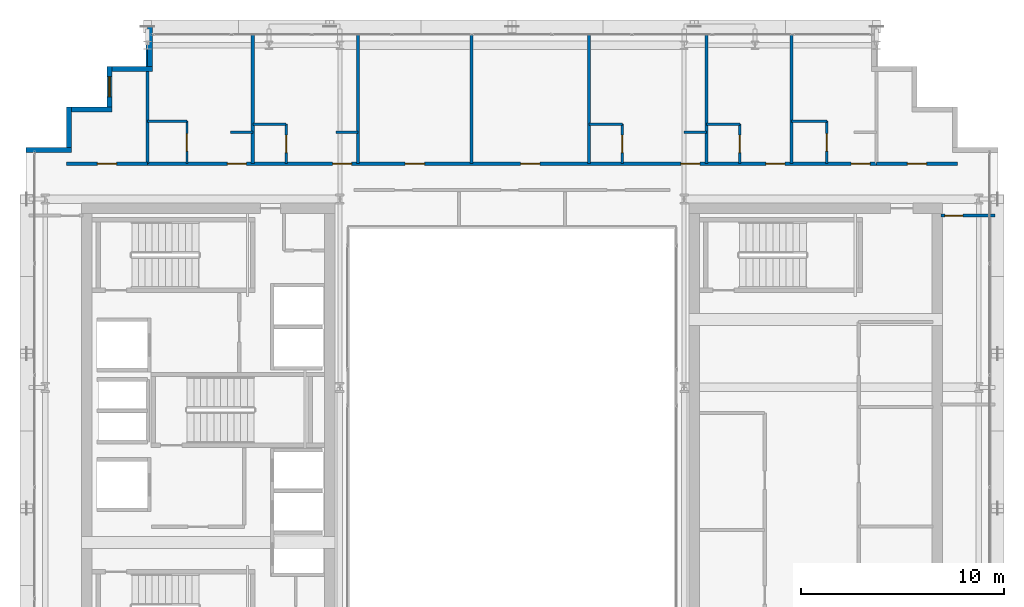
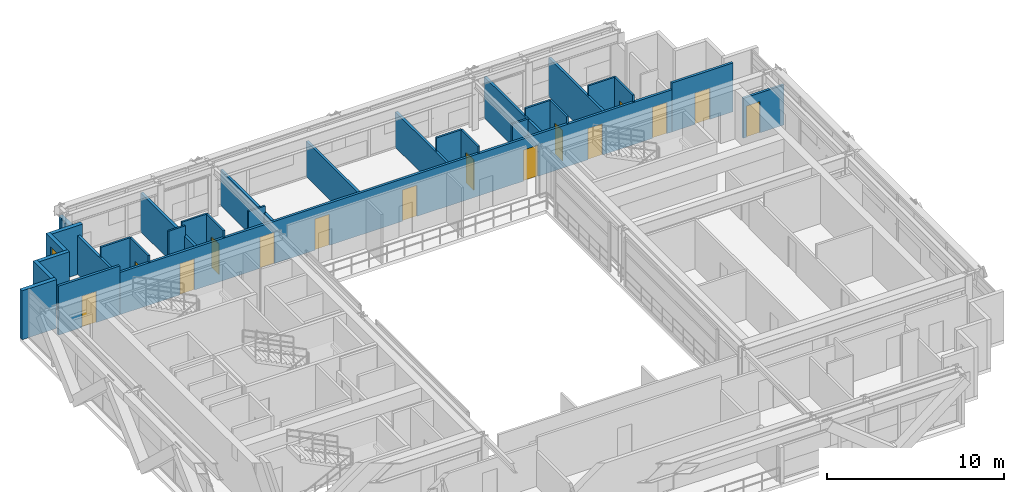
# One storey, part 32 of 37: 30 walls, 15 doors, 1 window, 16 openings.
"""IFC4 building model written with IfcOpenShell, lengths in metres."""

from ifc_helpers import new_model, si_unit, direction, frame, frame_2d, origin, place, context, subcontext, project, spatial, rectangle, extrude, source, transform, mapped, material, layer, layer_set, type_object, element, fill, save


model = new_model("IFC4")

# Units and contexts
model_context = context("Model", 3, precision=1e-05, world=origin(), true_north=direction((0.0, 1.0)))
body_context = subcontext(model_context, "Body", "Model", "MODEL_VIEW")
ifc_project = project(units=[si_unit("LENGTHUNIT", "METRE"), si_unit("AREAUNIT", "SQUARE_METRE"), si_unit("VOLUMEUNIT", "CUBIC_METRE"), si_unit("PLANEANGLEUNIT", "RADIAN"), si_unit("MASSUNIT", "GRAM", prefix="KILO")], contexts=[model_context])

# Site, building, storey
site_placement = place(None, origin())
site = spatial("IfcSite", under=ifc_project, at=site_placement, CompositionType="ELEMENT")
building_placement = place(site_placement, origin())
building = spatial("IfcBuilding", under=site, at=building_placement, Name="Ocotamira Hotel", CompositionType="ELEMENT")
storey_placement = place(building_placement, frame((0.0, 0.0, 192.0)))
storey = spatial("IfcBuildingStorey", under=building, at=storey_placement, Name="L48", CompositionType="ELEMENT", Elevation=192.0)

# Walls
ifc_material_1 = material(Name="Precast concrete C45/55", Category="concrete")
ifc_layer_1 = layer(ifc_material_1, 0.25)
ifc_layer_set_1 = layer_set([ifc_layer_1], Name="Precast concrete C45/55")
wall_type_1 = type_object("IfcWallType", Name="WL-EXT-SER-250", PredefinedType="SOLIDWALL", material=ifc_layer_set_1)
wall_1_placement = place(storey_placement, frame((14.125, 46.0, 0.0), z_axis=(0.0, 0.0, 1.0), x_axis=(0.0, -1.0, 0.0)))
element("IfcWall", 1, at=wall_1_placement, inside=storey, type_object=wall_type_1, Name="L48 Serrated Corner Wall 13", PredefinedType="SOLIDWALL", context=body_context, shape_type="SweptSolid", body=[
    extrude(rectangle(XDim=2.0, YDim=0.25, at=frame_2d((1.0, 0.0))), origin(), (0.0, 0.0, 1.0), 2.677001953125),
])
wall_2_placement = place(storey_placement, frame((14.25, 43.875, 0.0), z_axis=(0.0, 0.0, 1.0), x_axis=(-1.0, 0.0, 0.0)))
element("IfcWall", 2, at=wall_2_placement, inside=storey, type_object=wall_type_1, Name="L48 Serrated Corner Wall 14", PredefinedType="SOLIDWALL", context=body_context, shape_type="SweptSolid", body=[
    extrude(rectangle(XDim=2.0, YDim=0.25, at=frame_2d((1.0, 0.0))), origin(), (0.0, 0.0, 1.0), 3.3701171875),
])

# Wall, opening, window
wall_3_placement = place(storey_placement, frame((12.125, 44.0, 0.0), z_axis=(0.0, 0.0, 1.0), x_axis=(0.0, -1.0, 0.0)))
wall_3 = element("IfcWall", 3, at=wall_3_placement, inside=storey, type_object=wall_type_1, Name="L48 Serrated Corner Wall 15", PredefinedType="SOLIDWALL", context=body_context, shape_type="SweptSolid", body=[
    extrude(rectangle(XDim=2.0, YDim=0.25, at=frame_2d((1.0, 0.0))), origin(), (0.0, 0.0, 1.0), 3.3701171875),
])
opening_1_placement = place(wall_3_placement, frame((0.5, 0.0, 0.85009765625)))
opening_1 = element("IfcOpeningElement", 4, at=opening_1_placement, cuts=wall_3, Name="Opening WN-2", PredefinedType="OPENING", context=body_context, shape_type="SweptSolid", body=[
    extrude(rectangle(XDim=1.0, YDim=1.89990234375, at=frame_2d((0.5, 0.949951171875))), frame((0.0, 0.135009765625, 0.0), z_axis=(0.0, -1.0, 0.0), x_axis=(1.0, 0.0, 0.0)), (0.0, 0.0, 1.0), 0.27001953125),
])
ifc_material_2 = material(Name="Double-silver low-E solar glass", Category="glass")
window_type = type_object("IfcWindowType", Name="WIN-SER-1100", PartitioningType="SINGLE_PANEL", PredefinedType="WINDOW", material=ifc_material_2)
shared_shape_1 = source(origin(), body_context, "Body", "SweptSolid", [
    extrude(rectangle(XDim=1.0, YDim=1.89990234375, at=frame_2d((0.5, 0.949951171875))), frame((0.0, 0.030029296875, 0.0), z_axis=(0.0, -1.0, 0.0), x_axis=(1.0, 0.0, 0.0)), (0.0, 0.0, 1.0), 0.06005859375),
])
window_placement = place(opening_1_placement, origin())
window = element("IfcWindow", 5, at=window_placement, inside=storey, type_object=window_type, Name="L48 Serrated Corner Window 15", OverallHeight=1.89990234375, OverallWidth=1.0, PartitioningType="SINGLE_PANEL", PredefinedType="WINDOW", context=body_context, shape_type="MappedRepresentation", body=[
    mapped(shared_shape_1, transform((0.0, 0.0, 0.0), scale=1.0)),
])
fill(opening_1, window)

# Walls
for number, where, z_axis, x_axis, name in (
    (6, (12.25, 41.875, 0.0), (0.0, 0.0, 1.0), (-1.0, 0.0, 0.0), "L48 Serrated Corner Wall 16"),
    (7, (10.125, 42.0, 0.0), (0.0, 0.0, 1.0), (0.0, -1.0, 0.0), "L48 Serrated Corner Wall 17"),
):
    element("IfcWall", number, at=place(storey_placement, frame(where, z_axis=z_axis, x_axis=x_axis)), inside=storey, type_object=wall_type_1, Name=name, PredefinedType="SOLIDWALL", context=body_context, shape_type="SweptSolid", body=[
        extrude(rectangle(XDim=2.0, YDim=0.25, at=frame_2d((1.0, 0.0))), origin(), (0.0, 0.0, 1.0), 3.3701171875),
    ])
wall_4_placement = place(storey_placement, frame((10.25, 39.875, 0.0), z_axis=(0.0, 0.0, 1.0), x_axis=(-1.0, 0.0, 0.0)))
element("IfcWall", 8, at=wall_4_placement, inside=storey, type_object=wall_type_1, Name="L48 Serrated Corner Wall 18", PredefinedType="SOLIDWALL", context=body_context, shape_type="SweptSolid", body=[
    extrude(rectangle(XDim=2.25, YDim=0.25, at=frame_2d((1.125, 0.0))), origin(), (0.0, 0.0, 1.0), 3.3701171875),
])

# Wall, opening, door
ifc_material_3 = material(Name="Acoustic double-layer fire gypsum board partition", Category="gypsum")
ifc_layer_2 = layer(ifc_material_3, 0.159912109375)
ifc_layer_set_2 = layer_set([ifc_layer_2], Name="Acoustic double-layer fire gypsum board partition")
wall_type_2 = type_object("IfcWallType", Name="WL-FIRE-160", PredefinedType="PARTITIONING", material=ifc_layer_set_2)
wall_5_placement = place(storey_placement, frame((10.0, 39.199951171875, 0.0), z_axis=(0.0, 0.0, 1.0), x_axis=(1.0, 0.0, 0.0)))
wall_5 = element("IfcWall", 9, at=wall_5_placement, inside=storey, type_object=wall_type_2, Name="L48 Interior Wall PW-L48-Z3C-CNW-CW", PredefinedType="PARTITIONING", context=body_context, shape_type="SweptSolid", body=[
    extrude(rectangle(XDim=4.0, YDim=0.159912109375, at=frame_2d((2.0, 0.0))), origin(), (0.0, 0.0, 1.0), 3.3701171875),
])
opening_2_placement = place(wall_5_placement, frame((1.52001953125, 0.0, 0.0)))
opening_2 = element("IfcOpeningElement", 10, at=opening_2_placement, cuts=wall_5, Name="Opening D-SV4", PredefinedType="OPENING", context=body_context, shape_type="SweptSolid", body=[
    extrude(rectangle(XDim=0.9599609375, YDim=2.14990234375, at=frame_2d((0.47998046875, 1.074951171875))), frame((0.0, 0.08984375, 0.0), z_axis=(0.0, -1.0, 0.0), x_axis=(1.0, 0.0, 0.0)), (0.0, 0.0, 1.0), 0.179931640625),
])
ifc_material_4 = material(Name="Fire-rated accessible walnut salon door", Category="wood")
door_type_1 = type_object("IfcDoorType", Name="DR-SERV-960", OperationType="NOTDEFINED", PredefinedType="DOOR", material=ifc_material_4)
shared_shape_2 = source(origin(), body_context, "Body", "SweptSolid", [
    extrude(rectangle(XDim=0.9599609375, YDim=2.14990234375, at=frame_2d((0.47998046875, 1.074951171875))), frame((0.0, 0.02490234375, 0.0), z_axis=(0.0, -1.0, 0.0), x_axis=(1.0, 0.0, 0.0)), (0.0, 0.0, 1.0), 0.050048828125),
])
door_1_placement = place(opening_2_placement, origin())
door_1 = element("IfcDoor", 11, at=door_1_placement, inside=storey, type_object=door_type_1, Name="L48 Door ID-L48-Z3C-CNW-CD [ID-L48-Z3C-CNW-CD]", OperationType="SINGLE_SWING_LEFT", OverallHeight=2.14990234375, OverallWidth=0.9599609375, PredefinedType="DOOR", context=body_context, shape_type="MappedRepresentation", body=[
    mapped(shared_shape_2, transform((0.0, 0.0, 0.0), scale=1.0)),
])
fill(opening_2, door_1)

wall_6_placement = place(storey_placement, frame((50.0, 39.199951171875, 0.0), z_axis=(0.0, 0.0, 1.0), x_axis=(1.0, 0.0, 0.0)))
wall_6 = element("IfcWall", 12, at=wall_6_placement, inside=storey, type_object=wall_type_2, Name="L48 Interior Wall PW-L48-Z3C-CNE-CW", PredefinedType="PARTITIONING", context=body_context, shape_type="SweptSolid", body=[
    extrude(rectangle(XDim=4.0, YDim=0.159912109375, at=frame_2d((2.0, 0.0))), origin(), (0.0, 0.0, 1.0), 3.3701171875),
])
opening_3_placement = place(wall_6_placement, frame((1.52001953125, 0.0, 0.0)))
opening_3 = element("IfcOpeningElement", 13, at=opening_3_placement, cuts=wall_6, Name="Opening D-SV4", PredefinedType="OPENING", context=body_context, shape_type="SweptSolid", body=[
    extrude(rectangle(XDim=0.9599609375, YDim=2.14990234375, at=frame_2d((0.47998046875, 1.074951171875))), frame((0.0, 0.08984375, 0.0), z_axis=(0.0, -1.0, 0.0), x_axis=(1.0, 0.0, 0.0)), (0.0, 0.0, 1.0), 0.179931640625),
])
door_2_placement = place(opening_3_placement, origin())
door_2 = element("IfcDoor", 14, at=door_2_placement, inside=storey, type_object=door_type_1, Name="L48 Door ID-L48-Z3C-CNE-CD [ID-L48-Z3C-CNE-CD]", OperationType="SINGLE_SWING_LEFT", OverallHeight=2.14990234375, OverallWidth=0.9599609375, PredefinedType="DOOR", context=body_context, shape_type="MappedRepresentation", body=[
    mapped(shared_shape_2, transform((0.0, 0.0, 0.0), scale=1.0)),
])
fill(opening_3, door_2)

# Wall, openings, doors
wall_7_placement = place(storey_placement, frame((14.0, 39.199951171875, 0.0), z_axis=(0.0, 0.0, 1.0), x_axis=(1.0, 0.0, 0.0)))
wall_7 = element("IfcWall", 15, at=wall_7_placement, inside=storey, type_object=wall_type_2, Name="L48 Interior Wall PW-L48-Z3CN-CORRW", PredefinedType="PARTITIONING", context=body_context, shape_type="SweptSolid", body=[
    extrude(rectangle(XDim=36.0, YDim=0.159912109375, at=frame_2d((18.0, 0.0))), origin(), (0.0, 0.0, 1.0), 2.9130859375),
])
opening_4_placement = place(wall_7_placement, frame((3.93994140625, 0.0, 0.0)))
opening_4 = element("IfcOpeningElement", 16, at=opening_4_placement, cuts=wall_7, Name="Opening D-GR1", PredefinedType="OPENING", context=body_context, shape_type="SweptSolid", body=[
    extrude(rectangle(XDim=0.93994140625, YDim=2.14990234375, at=frame_2d((0.469970703125, 1.074951171875))), frame((0.0, 0.08984375, 0.0), z_axis=(0.0, -1.0, 0.0), x_axis=(1.0, 0.0, 0.0)), (0.0, 0.0, 1.0), 0.179931640625),
])
opening_5_placement = place(wall_7_placement, frame((9.139892578125, 0.0, 0.0)))
opening_5 = element("IfcOpeningElement", 17, at=opening_5_placement, cuts=wall_7, Name="Opening D-GR1", PredefinedType="OPENING", context=body_context, shape_type="SweptSolid", body=[
    extrude(rectangle(XDim=0.93994140625, YDim=2.14990234375, at=frame_2d((0.469970703125, 1.074951171875))), frame((0.0, 0.08984375, 0.0), z_axis=(0.0, -1.0, 0.0), x_axis=(1.0, 0.0, 0.0)), (0.0, 0.0, 1.0), 0.179931640625),
])
opening_6_placement = place(wall_7_placement, frame((12.719970703125, 0.0, 0.0)))
opening_6 = element("IfcOpeningElement", 18, at=opening_6_placement, cuts=wall_7, Name="Opening D-SV4", PredefinedType="OPENING", context=body_context, shape_type="SweptSolid", body=[
    extrude(rectangle(XDim=0.9599609375, YDim=2.14990234375, at=frame_2d((0.47998046875, 1.074951171875))), frame((0.0, 0.08984375, 0.0), z_axis=(0.0, -1.0, 0.0), x_axis=(1.0, 0.0, 0.0)), (0.0, 0.0, 1.0), 0.179931640625),
])
opening_7_placement = place(wall_7_placement, frame((18.419921875, 0.0, 0.0)))
opening_7 = element("IfcOpeningElement", 19, at=opening_7_placement, cuts=wall_7, Name="Opening D-SV4", PredefinedType="OPENING", context=body_context, shape_type="SweptSolid", body=[
    extrude(rectangle(XDim=0.9599609375, YDim=2.14990234375, at=frame_2d((0.47998046875, 1.074951171875))), frame((0.0, 0.08984375, 0.0), z_axis=(0.0, -1.0, 0.0), x_axis=(1.0, 0.0, 0.0)), (0.0, 0.0, 1.0), 0.179931640625),
])
opening_8_placement = place(wall_7_placement, frame((26.340087890625, 0.0, 0.0)))
opening_8 = element("IfcOpeningElement", 20, at=opening_8_placement, cuts=wall_7, Name="Opening D-GR1", PredefinedType="OPENING", context=body_context, shape_type="SweptSolid", body=[
    extrude(rectangle(XDim=0.93994140625, YDim=2.14990234375, at=frame_2d((0.469970703125, 1.074951171875))), frame((0.0, 0.08984375, 0.0), z_axis=(0.0, -1.0, 0.0), x_axis=(1.0, 0.0, 0.0)), (0.0, 0.0, 1.0), 0.179931640625),
])
opening_9_placement = place(wall_7_placement, frame((30.5400390625, 0.0, 0.0)))
opening_9 = element("IfcOpeningElement", 21, at=opening_9_placement, cuts=wall_7, Name="Opening D-GR1", PredefinedType="OPENING", context=body_context, shape_type="SweptSolid", body=[
    extrude(rectangle(XDim=0.93994140625, YDim=2.14990234375, at=frame_2d((0.469970703125, 1.074951171875))), frame((0.0, 0.08984375, 0.0), z_axis=(0.0, -1.0, 0.0), x_axis=(1.0, 0.0, 0.0)), (0.0, 0.0, 1.0), 0.179931640625),
])
opening_10_placement = place(wall_7_placement, frame((34.739990234375, 0.0, 0.0)))
opening_10 = element("IfcOpeningElement", 22, at=opening_10_placement, cuts=wall_7, Name="Opening D-GR1", PredefinedType="OPENING", context=body_context, shape_type="SweptSolid", body=[
    extrude(rectangle(XDim=0.93994140625, YDim=2.14990234375, at=frame_2d((0.469970703125, 1.074951171875))), frame((0.0, 0.08984375, 0.0), z_axis=(0.0, -1.0, 0.0), x_axis=(1.0, 0.0, 0.0)), (0.0, 0.0, 1.0), 0.179931640625),
])
door_3_placement = place(opening_6_placement, origin())
door_3 = element("IfcDoor", 23, at=door_3_placement, inside=storey, type_object=door_type_1, Name="L48 Door ID-L48-Z3CN-AMD3 [ID-L48-Z3CN-AMD3]", OperationType="SINGLE_SWING_LEFT", OverallHeight=2.14990234375, OverallWidth=0.9599609375, PredefinedType="DOOR", context=body_context, shape_type="MappedRepresentation", body=[
    mapped(shared_shape_2, transform((0.0, 0.0, 0.0), scale=1.0)),
])
fill(opening_6, door_3)
door_4_placement = place(opening_7_placement, origin())
door_4 = element("IfcDoor", 24, at=door_4_placement, inside=storey, type_object=door_type_1, Name="L48 Door ID-L48-Z3CN-AMD4 [ID-L48-Z3CN-AMD4]", OperationType="SINGLE_SWING_RIGHT", OverallHeight=2.14990234375, OverallWidth=0.9599609375, PredefinedType="DOOR", context=body_context, shape_type="MappedRepresentation", body=[
    mapped(shared_shape_2, transform((0.0, 0.0, 0.0), scale=1.0)),
])
fill(opening_7, door_4)
ifc_material_5 = material(Name="Solid-core walnut suite entrance fire door", Category="wood")
door_type_2 = type_object("IfcDoorType", Name="DR-GUEST-940", OperationType="NOTDEFINED", PredefinedType="DOOR", material=ifc_material_5)
shared_shape_3 = source(origin(), body_context, "Body", "SweptSolid", [
    extrude(rectangle(XDim=0.93994140625, YDim=2.14990234375, at=frame_2d((0.469970703125, 1.074951171875))), frame((0.0, 0.02490234375, 0.0), z_axis=(0.0, -1.0, 0.0), x_axis=(1.0, 0.0, 0.0)), (0.0, 0.0, 1.0), 0.050048828125),
])
door_5_placement = place(opening_4_placement, origin())
door_5 = element("IfcDoor", 25, at=door_5_placement, inside=storey, type_object=door_type_2, Name="L48 Door ID-L48-Z3CN-RMD1 [ID-L48-Z3CN-RMD1]", OperationType="SINGLE_SWING_LEFT", OverallHeight=2.14990234375, OverallWidth=0.93994140625, PredefinedType="DOOR", context=body_context, shape_type="MappedRepresentation", body=[
    mapped(shared_shape_3, transform((0.0, 0.0, 0.0), scale=1.0)),
])
fill(opening_4, door_5)
door_6_placement = place(opening_5_placement, origin())
door_6 = element("IfcDoor", 26, at=door_6_placement, inside=storey, type_object=door_type_2, Name="L48 Door ID-L48-Z3CN-RMD2 [ID-L48-Z3CN-RMD2]", OperationType="SINGLE_SWING_RIGHT", OverallHeight=2.14990234375, OverallWidth=0.93994140625, PredefinedType="DOOR", context=body_context, shape_type="MappedRepresentation", body=[
    mapped(shared_shape_3, transform((0.0, 0.0, 0.0), scale=1.0)),
])
fill(opening_5, door_6)
door_7_placement = place(opening_8_placement, origin())
door_7 = element("IfcDoor", 27, at=door_7_placement, inside=storey, type_object=door_type_2, Name="L48 Door ID-L48-Z3CN-RMD5 [ID-L48-Z3CN-RMD5]", OperationType="SINGLE_SWING_LEFT", OverallHeight=2.14990234375, OverallWidth=0.93994140625, PredefinedType="DOOR", context=body_context, shape_type="MappedRepresentation", body=[
    mapped(shared_shape_3, transform((0.0, 0.0, 0.0), scale=1.0)),
])
fill(opening_8, door_7)
door_8_placement = place(opening_9_placement, origin())
door_8 = element("IfcDoor", 28, at=door_8_placement, inside=storey, type_object=door_type_2, Name="L48 Door ID-L48-Z3CN-RMD6 [ID-L48-Z3CN-RMD6]", OperationType="SINGLE_SWING_RIGHT", OverallHeight=2.14990234375, OverallWidth=0.93994140625, PredefinedType="DOOR", context=body_context, shape_type="MappedRepresentation", body=[
    mapped(shared_shape_3, transform((0.0, 0.0, 0.0), scale=1.0)),
])
fill(opening_9, door_8)
door_9_placement = place(opening_10_placement, origin())
door_9 = element("IfcDoor", 29, at=door_9_placement, inside=storey, type_object=door_type_2, Name="L48 Door ID-L48-Z3CN-RMD7 [ID-L48-Z3CN-RMD7]", OperationType="SINGLE_SWING_LEFT", OverallHeight=2.14990234375, OverallWidth=0.93994140625, PredefinedType="DOOR", context=body_context, shape_type="MappedRepresentation", body=[
    mapped(shared_shape_3, transform((0.0, 0.0, 0.0), scale=1.0)),
])
fill(opening_10, door_9)

# Wall, opening, door
ifc_material_6 = material(Name="Moisture-resistant en-suite tile and gypsum partition", Category="gypsum")
ifc_layer_3 = layer(ifc_material_6, 0.1201171875)
ifc_layer_set_3 = layer_set([ifc_layer_3], Name="Moisture-resistant en-suite tile and gypsum partition")
wall_type_3 = type_object("IfcWallType", Name="WL-PART-120", PredefinedType="PARTITIONING", material=ifc_layer_set_3)
wall_8_placement = place(storey_placement, frame((15.949951171875, 39.199951171875, 0.0), z_axis=(0.0, 0.0, 1.0), x_axis=(0.0, 1.0, 0.0)))
wall_8 = element("IfcWall", 30, at=wall_8_placement, inside=storey, type_object=wall_type_3, Name="L48 Interior Wall PW-L48-Z3CN-BAE1", PredefinedType="PARTITIONING", context=body_context, shape_type="SweptSolid", body=[
    extrude(rectangle(XDim=2.10009765625, YDim=0.1201171875, at=frame_2d((1.050048828125, 0.0))), origin(), (0.0, 0.0, 1.0), 3.3701171875),
])
opening_11_placement = place(wall_8_placement, frame((0.6201171875, 0.0, 0.0)))
opening_11 = element("IfcOpeningElement", 31, at=opening_11_placement, cuts=wall_8, Name="Opening D-BA1", PredefinedType="OPENING", context=body_context, shape_type="SweptSolid", body=[
    extrude(rectangle(XDim=0.860107421875, YDim=2.10009765625, at=frame_2d((0.43017578125, 1.050048828125))), frame((0.0, 0.070068359375, 0.0), z_axis=(0.0, -1.0, 0.0), x_axis=(1.0, 0.0, 0.0)), (0.0, 0.0, 1.0), 0.14013671875),
])
ifc_material_7 = material(Name="Moisture-sealed en-suite timber door", Category="wood")
door_type_3 = type_object("IfcDoorType", Name="DR-BATH-860", OperationType="NOTDEFINED", PredefinedType="DOOR", material=ifc_material_7)
shared_shape_4 = source(origin(), body_context, "Body", "SweptSolid", [
    extrude(rectangle(XDim=0.860107421875, YDim=2.10009765625, at=frame_2d((0.43017578125, 1.050048828125))), frame((0.0, 0.02490234375, 0.0), z_axis=(0.0, -1.0, 0.0), x_axis=(1.0, 0.0, 0.0)), (0.0, 0.0, 1.0), 0.050048828125),
])
door_10_placement = place(opening_11_placement, origin())
door_10 = element("IfcDoor", 32, at=door_10_placement, inside=storey, type_object=door_type_3, Name="L48 Door ID-L48-Z3CN-BAD1 [ID-L48-Z3CN-BAD1]", OperationType="SINGLE_SWING_RIGHT", OverallHeight=2.10009765625, OverallWidth=0.860107421875, PredefinedType="DOOR", context=body_context, shape_type="MappedRepresentation", body=[
    mapped(shared_shape_4, transform((0.0, 0.0, 0.0), scale=1.0)),
])
fill(opening_11, door_10)

# Walls
wall_9_placement = place(storey_placement, frame((14.0, 41.300048828125, 0.0), z_axis=(0.0, 0.0, 1.0), x_axis=(1.0, 0.0, 0.0)))
element("IfcWall", 33, at=wall_9_placement, inside=storey, type_object=wall_type_3, Name="L48 Interior Wall PW-L48-Z3CN-BAN1", PredefinedType="PARTITIONING", context=body_context, shape_type="SweptSolid", body=[
    extrude(rectangle(XDim=1.949951171875, YDim=0.1201171875, at=frame_2d((0.97509765625, 0.0))), origin(), (0.0, 0.0, 1.0), 3.3701171875),
])
wall_10_placement = place(storey_placement, frame((18.10009765625, 40.75, 0.0), z_axis=(0.0, 0.0, 1.0), x_axis=(1.0, 0.0, 0.0)))
element("IfcWall", 34, at=wall_10_placement, inside=storey, type_object=wall_type_3, Name="L48 Interior Wall PW-L48-Z3CN-DRN1", PredefinedType="PARTITIONING", context=body_context, shape_type="SweptSolid", body=[
    extrude(rectangle(XDim=1.099853515625, YDim=0.1201171875, at=frame_2d((0.5498046875, 0.0))), origin(), (0.0, 0.0, 1.0), 3.3701171875),
])

# Wall, opening, door
wall_11_placement = place(storey_placement, frame((20.85009765625, 39.199951171875, 0.0), z_axis=(0.0, 0.0, 1.0), x_axis=(0.0, 1.0, 0.0)))
wall_11 = element("IfcWall", 35, at=wall_11_placement, inside=storey, type_object=wall_type_3, Name="L48 Interior Wall PW-L48-Z3CN-BAE2", PredefinedType="PARTITIONING", context=body_context, shape_type="SweptSolid", body=[
    extrude(rectangle(XDim=1.949951171875, YDim=0.1201171875, at=frame_2d((0.97509765625, 0.0))), origin(), (0.0, 0.0, 1.0), 3.3701171875),
])
opening_12_placement = place(wall_11_placement, frame((0.544921875, 0.0, 0.0)))
opening_12 = element("IfcOpeningElement", 36, at=opening_12_placement, cuts=wall_11, Name="Opening D-BA1", PredefinedType="OPENING", context=body_context, shape_type="SweptSolid", body=[
    extrude(rectangle(XDim=0.860107421875, YDim=2.10009765625, at=frame_2d((0.43017578125, 1.050048828125))), frame((0.0, 0.070068359375, 0.0), z_axis=(0.0, -1.0, 0.0), x_axis=(1.0, 0.0, 0.0)), (0.0, 0.0, 1.0), 0.14013671875),
])
door_11_placement = place(opening_12_placement, origin())
door_11 = element("IfcDoor", 37, at=door_11_placement, inside=storey, type_object=door_type_3, Name="L48 Door ID-L48-Z3CN-BAD2 [ID-L48-Z3CN-BAD2]", OperationType="SINGLE_SWING_LEFT", OverallHeight=2.10009765625, OverallWidth=0.860107421875, PredefinedType="DOOR", context=body_context, shape_type="MappedRepresentation", body=[
    mapped(shared_shape_4, transform((0.0, 0.0, 0.0), scale=1.0)),
])
fill(opening_12, door_11)

# Walls
wall_12_placement = place(storey_placement, frame((19.199951171875, 41.14990234375, 0.0), z_axis=(0.0, 0.0, 1.0), x_axis=(1.0, 0.0, 0.0)))
element("IfcWall", 38, at=wall_12_placement, inside=storey, type_object=wall_type_3, Name="L48 Interior Wall PW-L48-Z3CN-BAN2", PredefinedType="PARTITIONING", context=body_context, shape_type="SweptSolid", body=[
    extrude(rectangle(XDim=1.650146484375, YDim=0.1201171875, at=frame_2d((0.8251953125, 0.0))), origin(), (0.0, 0.0, 1.0), 3.3701171875),
])
wall_13_placement = place(storey_placement, frame((23.300048828125, 40.75, 0.0), z_axis=(0.0, 0.0, 1.0), x_axis=(1.0, 0.0, 0.0)))
element("IfcWall", 39, at=wall_13_placement, inside=storey, type_object=wall_type_3, Name="L48 Interior Wall PW-L48-Z3CN-DRN2", PredefinedType="PARTITIONING", context=body_context, shape_type="SweptSolid", body=[
    extrude(rectangle(XDim=1.099853515625, YDim=0.1201171875, at=frame_2d((0.5498046875, 0.0))), origin(), (0.0, 0.0, 1.0), 2.9130859375),
])

# Wall, opening, door
wall_14_placement = place(storey_placement, frame((37.449951171875, 39.199951171875, 0.0), z_axis=(0.0, 0.0, 1.0), x_axis=(0.0, 1.0, 0.0)))
wall_14 = element("IfcWall", 40, at=wall_14_placement, inside=storey, type_object=wall_type_3, Name="L48 Interior Wall PW-L48-Z3CN-BAE5", PredefinedType="PARTITIONING", context=body_context, shape_type="SweptSolid", body=[
    extrude(rectangle(XDim=1.949951171875, YDim=0.1201171875, at=frame_2d((0.97509765625, 0.0))), origin(), (0.0, 0.0, 1.0), 3.3701171875),
])
opening_13_placement = place(wall_14_placement, frame((0.544921875, 0.0, 0.0)))
opening_13 = element("IfcOpeningElement", 41, at=opening_13_placement, cuts=wall_14, Name="Opening D-BA1", PredefinedType="OPENING", context=body_context, shape_type="SweptSolid", body=[
    extrude(rectangle(XDim=0.860107421875, YDim=2.10009765625, at=frame_2d((0.43017578125, 1.050048828125))), frame((0.0, 0.070068359375, 0.0), z_axis=(0.0, -1.0, 0.0), x_axis=(1.0, 0.0, 0.0)), (0.0, 0.0, 1.0), 0.14013671875),
])
door_12_placement = place(opening_13_placement, origin())
door_12 = element("IfcDoor", 42, at=door_12_placement, inside=storey, type_object=door_type_3, Name="L48 Door ID-L48-Z3CN-BAD5 [ID-L48-Z3CN-BAD5]", OperationType="SINGLE_SWING_RIGHT", OverallHeight=2.10009765625, OverallWidth=0.860107421875, PredefinedType="DOOR", context=body_context, shape_type="MappedRepresentation", body=[
    mapped(shared_shape_4, transform((0.0, 0.0, 0.0), scale=1.0)),
])
fill(opening_13, door_12)

# Walls
wall_15_placement = place(storey_placement, frame((35.800048828125, 41.14990234375, 0.0), z_axis=(0.0, 0.0, 1.0), x_axis=(1.0, 0.0, 0.0)))
element("IfcWall", 43, at=wall_15_placement, inside=storey, type_object=wall_type_3, Name="L48 Interior Wall PW-L48-Z3CN-BAN5", PredefinedType="PARTITIONING", context=body_context, shape_type="SweptSolid", body=[
    extrude(rectangle(XDim=1.64990234375, YDim=0.1201171875, at=frame_2d((0.824951171875, 0.0))), origin(), (0.0, 0.0, 1.0), 3.3701171875),
])
wall_16_placement = place(storey_placement, frame((40.5, 40.75, 0.0), z_axis=(0.0, 0.0, 1.0), x_axis=(1.0, 0.0, 0.0)))
element("IfcWall", 44, at=wall_16_placement, inside=storey, type_object=wall_type_3, Name="L48 Interior Wall PW-L48-Z3CN-DRN5", PredefinedType="PARTITIONING", context=body_context, shape_type="SweptSolid", body=[
    extrude(rectangle(XDim=1.10009765625, YDim=0.1201171875, at=frame_2d((0.550048828125, 0.0))), origin(), (0.0, 0.0, 1.0), 2.9130859375),
])

# Wall, opening, door
wall_17_placement = place(storey_placement, frame((43.25, 39.199951171875, 0.0), z_axis=(0.0, 0.0, 1.0), x_axis=(0.0, 1.0, 0.0)))
wall_17 = element("IfcWall", 45, at=wall_17_placement, inside=storey, type_object=wall_type_3, Name="L48 Interior Wall PW-L48-Z3CN-BAE6", PredefinedType="PARTITIONING", context=body_context, shape_type="SweptSolid", body=[
    extrude(rectangle(XDim=1.949951171875, YDim=0.1201171875, at=frame_2d((0.97509765625, 0.0))), origin(), (0.0, 0.0, 1.0), 3.3701171875),
])
opening_14_placement = place(wall_17_placement, frame((0.544921875, 0.0, 0.0)))
opening_14 = element("IfcOpeningElement", 46, at=opening_14_placement, cuts=wall_17, Name="Opening D-BA1", PredefinedType="OPENING", context=body_context, shape_type="SweptSolid", body=[
    extrude(rectangle(XDim=0.860107421875, YDim=2.10009765625, at=frame_2d((0.43017578125, 1.050048828125))), frame((0.0, 0.070068359375, 0.0), z_axis=(0.0, -1.0, 0.0), x_axis=(1.0, 0.0, 0.0)), (0.0, 0.0, 1.0), 0.14013671875),
])
door_13_placement = place(opening_14_placement, origin())
door_13 = element("IfcDoor", 47, at=door_13_placement, inside=storey, type_object=door_type_3, Name="L48 Door ID-L48-Z3CN-BAD6 [ID-L48-Z3CN-BAD6]", OperationType="SINGLE_SWING_LEFT", OverallHeight=2.10009765625, OverallWidth=0.860107421875, PredefinedType="DOOR", context=body_context, shape_type="MappedRepresentation", body=[
    mapped(shared_shape_4, transform((0.0, 0.0, 0.0), scale=1.0)),
])
fill(opening_14, door_13)

# Wall
wall_18_placement = place(storey_placement, frame((41.60009765625, 41.14990234375, 0.0), z_axis=(0.0, 0.0, 1.0), x_axis=(1.0, 0.0, 0.0)))
element("IfcWall", 48, at=wall_18_placement, inside=storey, type_object=wall_type_3, Name="L48 Interior Wall PW-L48-Z3CN-BAN6", PredefinedType="PARTITIONING", context=body_context, shape_type="SweptSolid", body=[
    extrude(rectangle(XDim=1.64990234375, YDim=0.1201171875, at=frame_2d((0.824951171875, 0.0))), origin(), (0.0, 0.0, 1.0), 3.3701171875),
])

# Wall, opening, door
wall_19_placement = place(storey_placement, frame((47.550048828125, 39.199951171875, 0.0), z_axis=(0.0, 0.0, 1.0), x_axis=(0.0, 1.0, 0.0)))
wall_19 = element("IfcWall", 49, at=wall_19_placement, inside=storey, type_object=wall_type_3, Name="L48 Interior Wall PW-L48-Z3CN-BAE7", PredefinedType="PARTITIONING", context=body_context, shape_type="SweptSolid", body=[
    extrude(rectangle(XDim=2.10009765625, YDim=0.1201171875, at=frame_2d((1.050048828125, 0.0))), origin(), (0.0, 0.0, 1.0), 3.3701171875),
])
opening_15_placement = place(wall_19_placement, frame((0.6201171875, 0.0, 0.0)))
opening_15 = element("IfcOpeningElement", 50, at=opening_15_placement, cuts=wall_19, Name="Opening D-BA1", PredefinedType="OPENING", context=body_context, shape_type="SweptSolid", body=[
    extrude(rectangle(XDim=0.860107421875, YDim=2.10009765625, at=frame_2d((0.43017578125, 1.050048828125))), frame((0.0, 0.070068359375, 0.0), z_axis=(0.0, -1.0, 0.0), x_axis=(1.0, 0.0, 0.0)), (0.0, 0.0, 1.0), 0.14013671875),
])
door_14_placement = place(opening_15_placement, origin())
door_14 = element("IfcDoor", 51, at=door_14_placement, inside=storey, type_object=door_type_3, Name="L48 Door ID-L48-Z3CN-BAD7 [ID-L48-Z3CN-BAD7]", OperationType="SINGLE_SWING_RIGHT", OverallHeight=2.10009765625, OverallWidth=0.860107421875, PredefinedType="DOOR", context=body_context, shape_type="MappedRepresentation", body=[
    mapped(shared_shape_4, transform((0.0, 0.0, 0.0), scale=1.0)),
])
fill(opening_15, door_14)

# Wall
wall_20_placement = place(storey_placement, frame((45.800048828125, 41.300048828125, 0.0), z_axis=(0.0, 0.0, 1.0), x_axis=(1.0, 0.0, 0.0)))
element("IfcWall", 52, at=wall_20_placement, inside=storey, type_object=wall_type_3, Name="L48 Interior Wall PW-L48-Z3CN-BAN7", PredefinedType="PARTITIONING", context=body_context, shape_type="SweptSolid", body=[
    extrude(rectangle(XDim=1.75, YDim=0.1201171875, at=frame_2d((0.875, 0.0))), origin(), (0.0, 0.0, 1.0), 3.3701171875),
])

# Wall, opening, door
ifc_material_8 = material(Name="Acoustic hospitality gypsum board partition", Category="gypsum")
ifc_layer_4 = layer(ifc_material_8, 0.14990234375)
ifc_layer_set_4 = layer_set([ifc_layer_4], Name="Acoustic hospitality gypsum board partition")
wall_type_4 = type_object("IfcWallType", Name="WL-PART-150", PredefinedType="PARTITIONING", material=ifc_layer_set_4)
wall_21_placement = place(storey_placement, frame((53.179931640625, 36.639892578125, 0.0), z_axis=(0.0, 0.0, 1.0), x_axis=(1.0, 0.0, 0.0)))
wall_21 = element("IfcWall", 53, at=wall_21_placement, inside=storey, type_object=wall_type_4, Name="L48 Interior Wall PW-L48-Z3C-EF-WN", PredefinedType="PARTITIONING", context=body_context, shape_type="SweptSolid", body=[
    extrude(rectangle(XDim=2.66015625, YDim=0.14990234375, at=frame_2d((1.330078125, 0.0))), origin(), (0.0, 0.0, 1.0), 2.7529296875),
])
opening_16_placement = place(wall_21_placement, frame((0.199951171875, 0.0, 0.0)))
opening_16 = element("IfcOpeningElement", 54, at=opening_16_placement, cuts=wall_21, Name="Opening D-SV2", PredefinedType="OPENING", context=body_context, shape_type="SweptSolid", body=[
    extrude(rectangle(XDim=0.8798828125, YDim=2.14990234375, at=frame_2d((0.43994140625, 1.074951171875))), frame((0.0, 0.0849609375, 0.0), z_axis=(0.0, -1.0, 0.0), x_axis=(1.0, 0.0, 0.0)), (0.0, 0.0, 1.0), 0.169921875),
])
ifc_material_9 = material(Name="Fire-rated painted steel service door", Category="steel")
door_type_4 = type_object("IfcDoorType", Name="DR-SERV-880", OperationType="NOTDEFINED", PredefinedType="DOOR", material=ifc_material_9)
shared_shape_5 = source(origin(), body_context, "Body", "SweptSolid", [
    extrude(rectangle(XDim=0.8798828125, YDim=2.14990234375, at=frame_2d((0.43994140625, 1.074951171875))), frame((0.0, 0.02490234375, 0.0), z_axis=(0.0, -1.0, 0.0), x_axis=(1.0, 0.0, 0.0)), (0.0, 0.0, 1.0), 0.050048828125),
])
door_15_placement = place(opening_16_placement, origin())
door_15 = element("IfcDoor", 55, at=door_15_placement, inside=storey, type_object=door_type_4, Name="L48 Door ID-L48-Z3C-EF-DN [ID-L48-Z3C-EF-DN]", OperationType="SINGLE_SWING_LEFT", OverallHeight=2.14990234375, OverallWidth=0.8798828125, PredefinedType="DOOR", context=body_context, shape_type="MappedRepresentation", body=[
    mapped(shared_shape_5, transform((0.0, 0.0, 0.0), scale=1.0)),
])
fill(opening_16, door_15)

# Walls
ifc_material_10 = material(Name="Acoustic double-stud hospitality gypsum partition", Category="gypsum")
ifc_layer_5 = layer(ifc_material_10, 0.159912109375)
ifc_layer_set_5 = layer_set([ifc_layer_5], Name="Acoustic double-stud hospitality gypsum partition")
wall_type_5 = type_object("IfcWallType", Name="WL-PART-160", PredefinedType="PARTITIONING", material=ifc_layer_set_5)
wall_22_placement = place(storey_placement, frame((14.0, 39.199951171875, 0.0), z_axis=(0.0, 0.0, 1.0), x_axis=(0.0, 1.0, 0.0)))
element("IfcWall", 56, at=wall_22_placement, inside=storey, type_object=wall_type_5, Name="L48 Interior Wall PW-L48-Z3CN-PW0", PredefinedType="PARTITIONING", context=body_context, shape_type="SweptSolid", body=[
    extrude(rectangle(XDim=6.43994140625, YDim=0.159912109375, at=frame_2d((3.219970703125, 0.0))), origin(), (0.0, 0.0, 1.0), 2.677001953125),
])
for number, where, z_axis, x_axis, name in (
    (57, (24.39990234375, 39.199951171875, 0.0), (0.0, 0.0, 1.0), (0.0, 1.0, 0.0), "L48 Interior Wall PW-L48-Z3CN-PW2"),
    (58, (30.0, 39.199951171875, 0.0), (0.0, 0.0, 1.0), (0.0, 1.0, 0.0), "L48 Interior Wall PW-L48-Z3CN-PW3"),
    (59, (35.800048828125, 39.199951171875, 0.0), (0.0, 0.0, 1.0), (0.0, 1.0, 0.0), "L48 Interior Wall PW-L48-Z3CN-PW4"),
):
    element("IfcWall", number, at=place(storey_placement, frame(where, z_axis=z_axis, x_axis=x_axis)), inside=storey, type_object=wall_type_5, Name=name, PredefinedType="PARTITIONING", context=body_context, shape_type="SweptSolid", body=[
        extrude(rectangle(XDim=6.43994140625, YDim=0.159912109375, at=frame_2d((3.219970703125, 0.0))), origin(), (0.0, 0.0, 1.0), 2.443115234375),
    ])
wall_23_placement = place(storey_placement, frame((41.60009765625, 39.199951171875, 0.0), z_axis=(0.0, 0.0, 1.0), x_axis=(0.0, 1.0, 0.0)))
element("IfcWall", 60, at=wall_23_placement, inside=storey, type_object=wall_type_5, Name="L48 Interior Wall PW-L48-Z3CN-PW5", PredefinedType="PARTITIONING", context=body_context, shape_type="SweptSolid", body=[
    extrude(rectangle(XDim=6.43994140625, YDim=0.159912109375, at=frame_2d((3.219970703125, 0.0))), origin(), (0.0, 0.0, 1.0), 2.8330078125),
])
wall_24_placement = place(storey_placement, frame((45.800048828125, 39.199951171875, 0.0), z_axis=(0.0, 0.0, 1.0), x_axis=(0.0, 1.0, 0.0)))
element("IfcWall", 61, at=wall_24_placement, inside=storey, type_object=wall_type_5, Name="L48 Interior Wall PW-L48-Z3CN-PW6", PredefinedType="PARTITIONING", context=body_context, shape_type="SweptSolid", body=[
    extrude(rectangle(XDim=6.43994140625, YDim=0.159912109375, at=frame_2d((3.219970703125, 0.0))), origin(), (0.0, 0.0, 1.0), 2.677001953125),
])
ifc_material_11 = material(Name="Double-stud suite party gypsum partition", Category="gypsum")
ifc_layer_6 = layer(ifc_material_11, 0.175048828125)
ifc_layer_set_6 = layer_set([ifc_layer_6], Name="Double-stud suite party gypsum partition")
wall_type_6 = type_object("IfcWallType", Name="WL-PART-175", PredefinedType="PARTITIONING", material=ifc_layer_set_6)
wall_25_placement = place(storey_placement, frame((19.199951171875, 39.199951171875, 0.0), z_axis=(0.0, 0.0, 1.0), x_axis=(0.0, 1.0, 0.0)))
element("IfcWall", 62, at=wall_25_placement, inside=storey, type_object=wall_type_6, Name="L48 Interior Wall PW-L48-Z3CN-PW1", PredefinedType="PARTITIONING", context=body_context, shape_type="SweptSolid", body=[
    extrude(rectangle(XDim=6.43994140625, YDim=0.175048828125, at=frame_2d((3.219970703125, 0.0))), origin(), (0.0, 0.0, 1.0), 2.677001953125),
])

save(model, "model.ifc")
